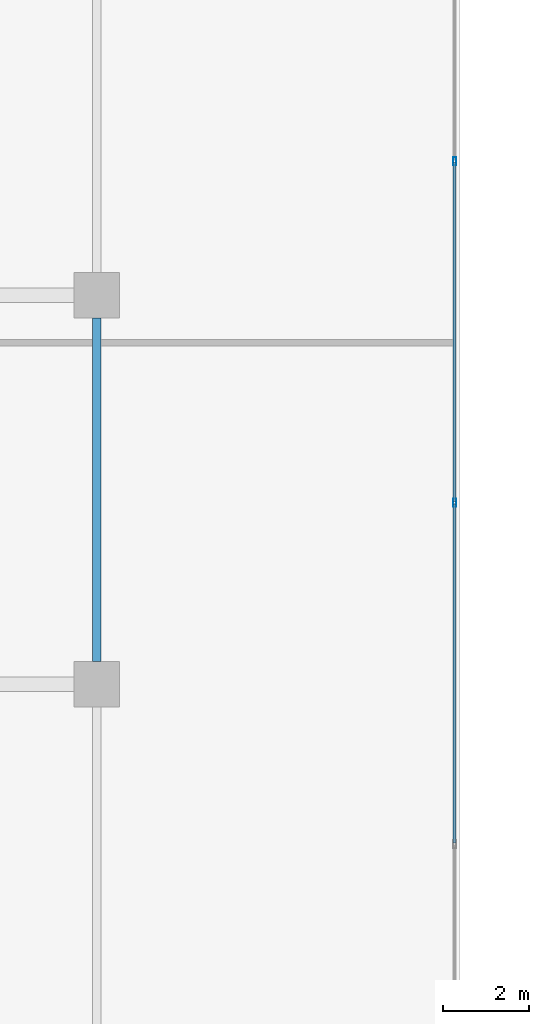
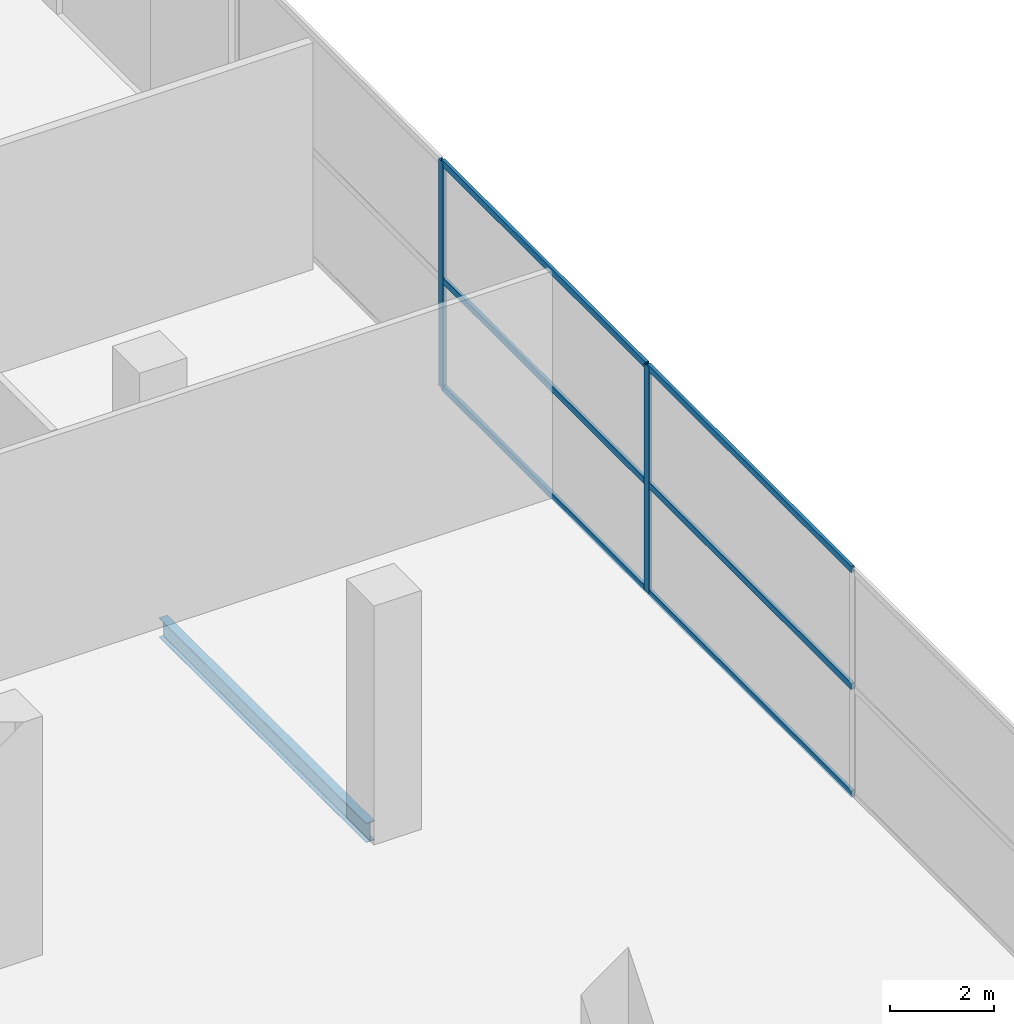
# One storey, part 24 of 35: 8 members, 1 beam, 1 element without a shape of its own.
"""IFC4 building model written with IfcOpenShell, lengths in metres."""

from ifc_helpers import new_model, si_unit, direction, frame, origin, origin_2d, place, context, subcontext, project, spatial, hollow_rectangle, i_section, extrude, material, layer, layer_set, material_profile, profile_set, type_object, element, aggregate, save


model = new_model("IFC4")

# Units and contexts
model_context = context("Model", 3, precision=1e-05, world=origin(), true_north=direction((0.0, 1.0)))
body_context = subcontext(model_context, "Body", "Model", "MODEL_VIEW")
ifc_project = project(units=[si_unit("LENGTHUNIT", "METRE"), si_unit("AREAUNIT", "SQUARE_METRE"), si_unit("VOLUMEUNIT", "CUBIC_METRE"), si_unit("PLANEANGLEUNIT", "RADIAN"), si_unit("MASSUNIT", "GRAM", prefix="KILO")], contexts=[model_context])

# Site, building, storey
site_placement = place(None, origin())
site = spatial("IfcSite", under=ifc_project, at=site_placement, CompositionType="ELEMENT")
building_placement = place(site_placement, origin())
building = spatial("IfcBuilding", under=site, at=building_placement, Name="Maruvema Waterfront Hotel and Observation Tower", CompositionType="ELEMENT")
storey_placement = place(building_placement, origin())
storey = spatial("IfcBuildingStorey", under=building, at=storey_placement, Name="L00", CompositionType="ELEMENT", Elevation=0.0)

# Curtain wall, members
ifc_material_1 = material(Name="Anodised bronze aluminium and solar-control low-E IGU", Category="aluminium")
ifc_layer = layer(ifc_material_1, 0.159912109375, Name="Podium Waterfront Storefront Curtain Wall System CW-01")
ifc_layer_set = layer_set([ifc_layer], Name="Anodised bronze aluminium and solar-control low-E IGU")
curtain_wall_type = type_object("IfcCurtainWallType", Name="Podium Waterfront Storefront Curtain Wall System CW-01", PredefinedType="USERDEFINED", material=ifc_layer_set)
curtain_wall_placement = place(storey_placement, origin())
curtain_wall = element("IfcCurtainWall", 1, at=curtain_wall_placement, inside=storey, type_object=curtain_wall_type, Name="L00 Curtain Wall CW-L00-ES", ObjectType="UNITISED CURTAIN WALL", PredefinedType="USERDEFINED")
ifc_material_2 = material(Name="Anodised architectural bronze aluminium", Category="aluminium")
ifc_material_profile_1 = material_profile(ifc_material_2, hollow_rectangle(XDim=0.070068359375, YDim=0.14990234375, WallThickness=0.00390625, at=origin_2d()), Name="ALU-T70x150")
ifc_profile_set_1 = profile_set([ifc_material_profile_1], Name="Anodised architectural bronze aluminium")
member_type_1 = type_object("IfcMemberType", Name="Curtain Wall Horizontal Transom ALU-T70x150", PredefinedType="USERDEFINED", material=ifc_profile_set_1)
member_1_placement = place(storey_placement, frame((75.47998046875, 14.330078125, 0.030029296875), z_axis=(0.0, 1.0, 0.0), x_axis=(-1.0, 0.0, 0.0)))
member_1 = element("IfcMember", 2, at=member_1_placement, type_object=member_type_1, Name="CW-01 transom 2.1", ObjectType="TRANSOM", PredefinedType="USERDEFINED", context=body_context, shape_type="SweptSolid", body=[
    extrude(hollow_rectangle(XDim=0.070068359375, YDim=0.14990234375, WallThickness=0.00390625, at=origin_2d()), origin(), (0.0, 0.0, 1.0), 7.83984375),
])
member_2_placement = place(storey_placement, frame((75.47998046875, 14.330078125, 2.550048828125), z_axis=(0.0, 1.0, 0.0), x_axis=(-1.0, 0.0, 0.0)))
member_2 = element("IfcMember", 3, at=member_2_placement, type_object=member_type_1, Name="CW-01 transom 2.2", ObjectType="TRANSOM", PredefinedType="USERDEFINED", context=body_context, shape_type="SweptSolid", body=[
    extrude(hollow_rectangle(XDim=0.070068359375, YDim=0.14990234375, WallThickness=0.00390625, at=origin_2d()), origin(), (0.0, 0.0, 1.0), 7.83984375),
])
member_3_placement = place(storey_placement, frame((75.47998046875, 14.330078125, 5.2900390625), z_axis=(0.0, 1.0, 0.0), x_axis=(-1.0, 0.0, 0.0)))
member_3 = element("IfcMember", 4, at=member_3_placement, type_object=member_type_1, Name="CW-01 transom 2.3", ObjectType="TRANSOM", PredefinedType="USERDEFINED", context=body_context, shape_type="SweptSolid", body=[
    extrude(hollow_rectangle(XDim=0.070068359375, YDim=0.14990234375, WallThickness=0.00390625, at=origin_2d()), origin(), (0.0, 0.0, 1.0), 7.83984375),
])
member_4_placement = place(storey_placement, frame((75.47998046875, 22.22998046875, 0.030029296875), z_axis=(0.0, 1.0, 0.0), x_axis=(-1.0, 0.0, 0.0)))
member_4 = element("IfcMember", 5, at=member_4_placement, type_object=member_type_1, Name="CW-01 transom 3.1", ObjectType="TRANSOM", PredefinedType="USERDEFINED", context=body_context, shape_type="SweptSolid", body=[
    extrude(hollow_rectangle(XDim=0.070068359375, YDim=0.14990234375, WallThickness=0.00390625, at=origin_2d()), origin(), (0.0, 0.0, 1.0), 7.840087890625),
])
member_5_placement = place(storey_placement, frame((75.47998046875, 22.22998046875, 2.550048828125), z_axis=(0.0, 1.0, 0.0), x_axis=(-1.0, 0.0, 0.0)))
member_5 = element("IfcMember", 6, at=member_5_placement, type_object=member_type_1, Name="CW-01 transom 3.2", ObjectType="TRANSOM", PredefinedType="USERDEFINED", context=body_context, shape_type="SweptSolid", body=[
    extrude(hollow_rectangle(XDim=0.070068359375, YDim=0.14990234375, WallThickness=0.00390625, at=origin_2d()), origin(), (0.0, 0.0, 1.0), 7.840087890625),
])
member_6_placement = place(storey_placement, frame((75.47998046875, 22.22998046875, 5.2900390625), z_axis=(0.0, 1.0, 0.0), x_axis=(-1.0, 0.0, 0.0)))
member_6 = element("IfcMember", 7, at=member_6_placement, type_object=member_type_1, Name="CW-01 transom 3.3", ObjectType="TRANSOM", PredefinedType="USERDEFINED", context=body_context, shape_type="SweptSolid", body=[
    extrude(hollow_rectangle(XDim=0.070068359375, YDim=0.14990234375, WallThickness=0.00390625, at=origin_2d()), origin(), (0.0, 0.0, 1.0), 7.840087890625),
])

# Beam
ifc_material_3 = material(Name="Steel ASTM A572 Grade 50", Category="steel")
ifc_material_profile_2 = material_profile(ifc_material_3, i_section(OverallWidth=0.18994140625, OverallDepth=0.45703125, WebThickness=0.009033203125, FlangeThickness=0.014404296875, FilletRadius=0.014892578125, at=origin_2d()), Name="W460x74.0")
ifc_profile_set_2 = profile_set([ifc_material_profile_2], Name="Steel ASTM A572 Grade 50")
beam_type = type_object("IfcBeamType", Name="Perimeter Spandrel Beam W460x74.0", PredefinedType="SPANDREL", material=ifc_profile_set_2)
beam_placement = place(storey_placement, frame((67.199951171875, 18.52490234375, -0.508544921875), z_axis=(0.0, 1.0, 0.0), x_axis=(-1.0, 0.0, 0.0)))
element("IfcBeam", 8, at=beam_placement, inside=storey, type_object=beam_type, Name="L00 Floor Girder NS-37", PredefinedType="SPANDREL", context=body_context, shape_type="SweptSolid", body=[
    extrude(i_section(OverallWidth=0.18994140625, OverallDepth=0.45703125, WebThickness=0.009033203125, FlangeThickness=0.014404296875, FilletRadius=0.014892578125, at=origin_2d()), origin(), (0.0, 0.0, 1.0), 7.9501953125),
])

# Member
ifc_material_4 = material(Name="Anodised architectural bronze aluminium", Category="aluminium")
ifc_material_profile_3 = material_profile(ifc_material_4, hollow_rectangle(XDim=0.070068359375, YDim=0.18994140625, WallThickness=0.00390625, at=origin_2d()), Name="ALU-M70x190")
ifc_profile_set_3 = profile_set([ifc_material_profile_3], Name="Anodised architectural bronze aluminium")
member_type_2 = type_object("IfcMemberType", Name="Podium Storefront Heavy Mullion ALU-M70x190", PredefinedType="MULLION", material=ifc_profile_set_3)
member_7_placement = place(storey_placement, frame((75.47998046875, 22.199951171875, 0.0), z_axis=(0.0, 0.0, 1.0), x_axis=(-1.0, 0.0, 0.0)))
member_7 = element("IfcMember", 9, at=member_7_placement, type_object=member_type_2, Name="CW-01 mullion 3", PredefinedType="MULLION", context=body_context, shape_type="SweptSolid", body=[
    extrude(hollow_rectangle(XDim=0.070068359375, YDim=0.18994140625, WallThickness=0.00390625, at=origin_2d()), origin(), (0.0, 0.0, 1.0), 5.320068359375),
])

member_8_placement = place(storey_placement, frame((75.47998046875, 30.10009765625, 0.0), z_axis=(0.0, 0.0, 1.0), x_axis=(-1.0, 0.0, 0.0)))
member_8 = element("IfcMember", 10, at=member_8_placement, type_object=member_type_2, Name="CW-01 mullion 4", PredefinedType="MULLION", context=body_context, shape_type="SweptSolid", body=[
    extrude(hollow_rectangle(XDim=0.070068359375, YDim=0.18994140625, WallThickness=0.00390625, at=origin_2d()), origin(), (0.0, 0.0, 1.0), 5.320068359375),
])

aggregate(curtain_wall, [member_7, member_8, member_1, member_2, member_3, member_4, member_5, member_6])

save(model, "model.ifc")
